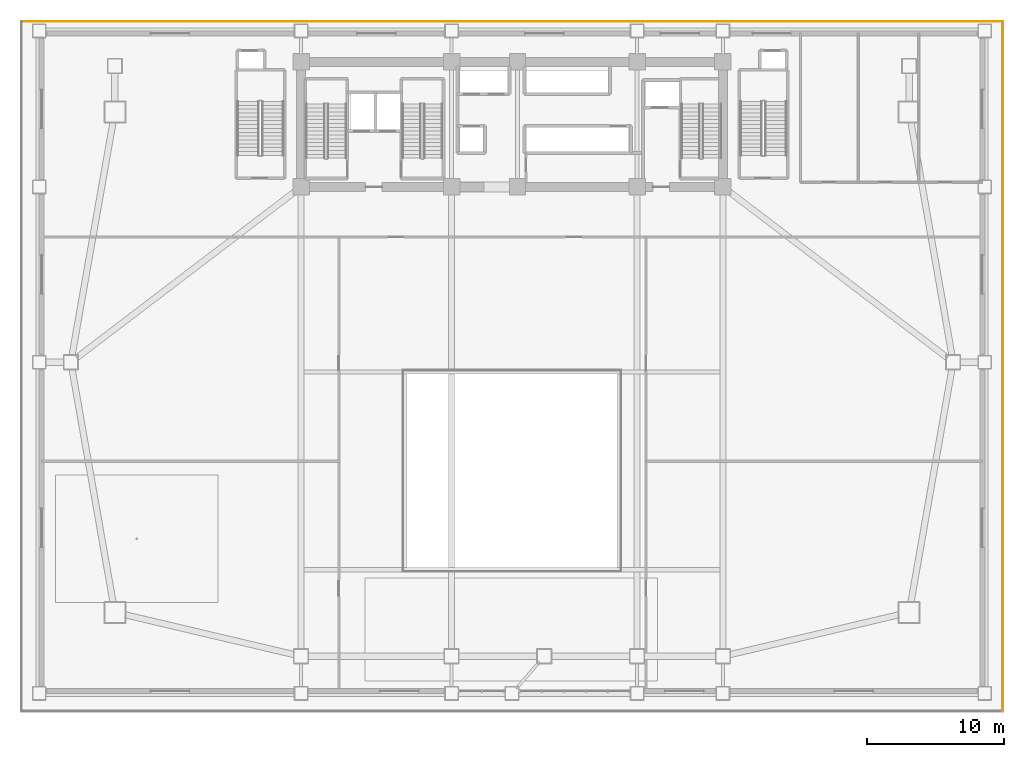
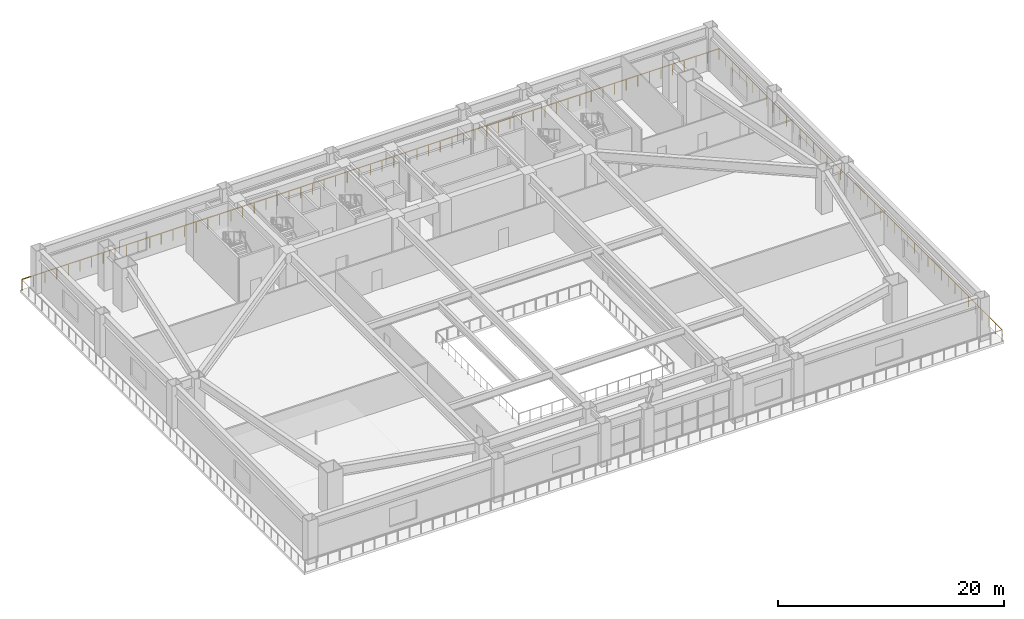
# One storey, part 14 of 14: 2 railings.
"""IFC4 building model written with IfcOpenShell, lengths in metres."""

from ifc_helpers import new_model, si_unit, direction, frame, origin, origin_2d, place, context, subcontext, project, spatial, rectangle, extrude, material, type_object, element, save


model = new_model("IFC4")

# Units and contexts
model_context = context("Model", 3, precision=1e-05, world=origin(), true_north=direction((0.0, 1.0)))
body_context = subcontext(model_context, "Body", "Model", "MODEL_VIEW")
ifc_project = project(units=[si_unit("LENGTHUNIT", "METRE"), si_unit("AREAUNIT", "SQUARE_METRE"), si_unit("VOLUMEUNIT", "CUBIC_METRE"), si_unit("PLANEANGLEUNIT", "RADIAN"), si_unit("MASSUNIT", "GRAM", prefix="KILO")], contexts=[model_context])

# Site, building, storey
site_placement = place(None, origin())
site = spatial("IfcSite", under=ifc_project, at=site_placement, CompositionType="ELEMENT")
building_placement = place(site_placement, origin())
building = spatial("IfcBuilding", under=site, at=building_placement, Name="Giltprow Tower", CompositionType="ELEMENT")
storey_placement = place(building_placement, frame((0.0, 0.0, 15.199951171875)))
storey = spatial("IfcBuildingStorey", under=building, at=storey_placement, Name="L04", CompositionType="ELEMENT", Elevation=15.199951171875)

# Railings
ifc_material = material(Name="Anodized bronze", Category="metal")
railing_type = type_object("IfcRailingType", Name="RAIL-BALC-GUARD-1200", PredefinedType="BALUSTRADE", material=ifc_material)
railing_1_placement = place(storey_placement, frame((70.8798828125, -0.679931640625, 0.0)))
element("IfcRailing", 1, at=railing_1_placement, inside=storey, type_object=railing_type, Name="L04 Podium Perimeter Cornice Balustrade Seg 2", PredefinedType="BALUSTRADE", context=body_context, shape_type="SweptSolid", body=[
    extrude(rectangle(XDim=0.048095703125, YDim=0.048095703125, at=origin_2d()), frame((0.0, 0.0, 1.17578125), z_axis=(0.0, 1.0, 0.0), x_axis=(-1.0, 0.0, 0.0)), (0.0, 0.0, 1.0), 50.159912109375),
    extrude(rectangle(XDim=0.0419921875, YDim=0.0419921875, at=origin_2d()), origin(), (0.0, 0.0, 1.0), 1.15185546875),
    extrude(rectangle(XDim=0.0419921875, YDim=0.0419921875, at=origin_2d()), frame((0.0, 1.1943359375, 0.0)), (0.0, 0.0, 1.0), 1.15185546875),
    extrude(rectangle(XDim=0.0419921875, YDim=0.0419921875, at=origin_2d()), frame((0.0, 2.388671875, 0.0)), (0.0, 0.0, 1.0), 1.15185546875),
    extrude(rectangle(XDim=0.0419921875, YDim=0.0419921875, at=origin_2d()), frame((0.0, 3.582763671875, 0.0)), (0.0, 0.0, 1.0), 1.15185546875),
    extrude(rectangle(XDim=0.0419921875, YDim=0.0419921875, at=origin_2d()), frame((0.0, 4.777099609375, 0.0)), (0.0, 0.0, 1.0), 1.15185546875),
    extrude(rectangle(XDim=0.0419921875, YDim=0.0419921875, at=origin_2d()), frame((0.0, 5.971435546875, 0.0)), (0.0, 0.0, 1.0), 1.15185546875),
    extrude(rectangle(XDim=0.0419921875, YDim=0.0419921875, at=origin_2d()), frame((0.0, 7.165771484375, 0.0)), (0.0, 0.0, 1.0), 1.15185546875),
    extrude(rectangle(XDim=0.0419921875, YDim=0.0419921875, at=origin_2d()), frame((0.0, 8.35986328125, 0.0)), (0.0, 0.0, 1.0), 1.15185546875),
    extrude(rectangle(XDim=0.0419921875, YDim=0.0419921875, at=origin_2d()), frame((0.0, 9.55419921875, 0.0)), (0.0, 0.0, 1.0), 1.15185546875),
    extrude(rectangle(XDim=0.0419921875, YDim=0.0419921875, at=origin_2d()), frame((0.0, 10.74853515625, 0.0)), (0.0, 0.0, 1.0), 1.15185546875),
    extrude(rectangle(XDim=0.0419921875, YDim=0.0419921875, at=origin_2d()), frame((0.0, 11.94287109375, 0.0)), (0.0, 0.0, 1.0), 1.15185546875),
    extrude(rectangle(XDim=0.0419921875, YDim=0.0419921875, at=origin_2d()), frame((0.0, 13.13720703125, 0.0)), (0.0, 0.0, 1.0), 1.15185546875),
    extrude(rectangle(XDim=0.0419921875, YDim=0.0419921875, at=origin_2d()), frame((0.0, 14.331298828125, 0.0)), (0.0, 0.0, 1.0), 1.15185546875),
    extrude(rectangle(XDim=0.0419921875, YDim=0.0419921875, at=origin_2d()), frame((0.0, 15.525634765625, 0.0)), (0.0, 0.0, 1.0), 1.15185546875),
    extrude(rectangle(XDim=0.0419921875, YDim=0.0419921875, at=origin_2d()), frame((0.0, 16.719970703125, 0.0)), (0.0, 0.0, 1.0), 1.15185546875),
    extrude(rectangle(XDim=0.0419921875, YDim=0.0419921875, at=origin_2d()), frame((0.0, 17.914306640625, 0.0)), (0.0, 0.0, 1.0), 1.15185546875),
    extrude(rectangle(XDim=0.0419921875, YDim=0.0419921875, at=origin_2d()), frame((0.0, 19.108642578125, 0.0)), (0.0, 0.0, 1.0), 1.15185546875),
    extrude(rectangle(XDim=0.0419921875, YDim=0.0419921875, at=origin_2d()), frame((0.0, 20.302734375, 0.0)), (0.0, 0.0, 1.0), 1.15185546875),
    extrude(rectangle(XDim=0.0419921875, YDim=0.0419921875, at=origin_2d()), frame((0.0, 21.4970703125, 0.0)), (0.0, 0.0, 1.0), 1.15185546875),
    extrude(rectangle(XDim=0.0419921875, YDim=0.0419921875, at=origin_2d()), frame((0.0, 22.69140625, 0.0)), (0.0, 0.0, 1.0), 1.15185546875),
    extrude(rectangle(XDim=0.0419921875, YDim=0.0419921875, at=origin_2d()), frame((0.0, 23.8857421875, 0.0)), (0.0, 0.0, 1.0), 1.15185546875),
    extrude(rectangle(XDim=0.0419921875, YDim=0.0419921875, at=origin_2d()), frame((0.0, 25.080078125, 0.0)), (0.0, 0.0, 1.0), 1.15185546875),
    extrude(rectangle(XDim=0.0419921875, YDim=0.0419921875, at=origin_2d()), frame((0.0, 26.274169921875, 0.0)), (0.0, 0.0, 1.0), 1.15185546875),
    extrude(rectangle(XDim=0.0419921875, YDim=0.0419921875, at=origin_2d()), frame((0.0, 27.468505859375, 0.0)), (0.0, 0.0, 1.0), 1.15185546875),
    extrude(rectangle(XDim=0.0419921875, YDim=0.0419921875, at=origin_2d()), frame((0.0, 28.662841796875, 0.0)), (0.0, 0.0, 1.0), 1.15185546875),
    extrude(rectangle(XDim=0.0419921875, YDim=0.0419921875, at=origin_2d()), frame((0.0, 29.857177734375, 0.0)), (0.0, 0.0, 1.0), 1.15185546875),
    extrude(rectangle(XDim=0.0419921875, YDim=0.0419921875, at=origin_2d()), frame((0.0, 31.05126953125, 0.0)), (0.0, 0.0, 1.0), 1.15185546875),
    extrude(rectangle(XDim=0.0419921875, YDim=0.0419921875, at=origin_2d()), frame((0.0, 32.24560546875, 0.0)), (0.0, 0.0, 1.0), 1.15185546875),
    extrude(rectangle(XDim=0.0419921875, YDim=0.0419921875, at=origin_2d()), frame((0.0, 33.43994140625, 0.0)), (0.0, 0.0, 1.0), 1.15185546875),
    extrude(rectangle(XDim=0.0419921875, YDim=0.0419921875, at=origin_2d()), frame((0.0, 34.63427734375, 0.0)), (0.0, 0.0, 1.0), 1.15185546875),
    extrude(rectangle(XDim=0.0419921875, YDim=0.0419921875, at=origin_2d()), frame((0.0, 35.82861328125, 0.0)), (0.0, 0.0, 1.0), 1.15185546875),
    extrude(rectangle(XDim=0.0419921875, YDim=0.0419921875, at=origin_2d()), frame((0.0, 37.022705078125, 0.0)), (0.0, 0.0, 1.0), 1.15185546875),
    extrude(rectangle(XDim=0.0419921875, YDim=0.0419921875, at=origin_2d()), frame((0.0, 38.217041015625, 0.0)), (0.0, 0.0, 1.0), 1.15185546875),
    extrude(rectangle(XDim=0.0419921875, YDim=0.0419921875, at=origin_2d()), frame((0.0, 39.411376953125, 0.0)), (0.0, 0.0, 1.0), 1.15185546875),
    extrude(rectangle(XDim=0.0419921875, YDim=0.0419921875, at=origin_2d()), frame((0.0, 40.605712890625, 0.0)), (0.0, 0.0, 1.0), 1.15185546875),
    extrude(rectangle(XDim=0.0419921875, YDim=0.0419921875, at=origin_2d()), frame((0.0, 41.7998046875, 0.0)), (0.0, 0.0, 1.0), 1.15185546875),
    extrude(rectangle(XDim=0.0419921875, YDim=0.0419921875, at=origin_2d()), frame((0.0, 42.994140625, 0.0)), (0.0, 0.0, 1.0), 1.15185546875),
    extrude(rectangle(XDim=0.0419921875, YDim=0.0419921875, at=origin_2d()), frame((0.0, 44.1884765625, 0.0)), (0.0, 0.0, 1.0), 1.15185546875),
    extrude(rectangle(XDim=0.0419921875, YDim=0.0419921875, at=origin_2d()), frame((0.0, 45.3828125, 0.0)), (0.0, 0.0, 1.0), 1.15185546875),
    extrude(rectangle(XDim=0.0419921875, YDim=0.0419921875, at=origin_2d()), frame((0.0, 46.5771484375, 0.0)), (0.0, 0.0, 1.0), 1.15185546875),
    extrude(rectangle(XDim=0.0419921875, YDim=0.0419921875, at=origin_2d()), frame((0.0, 47.771240234375, 0.0)), (0.0, 0.0, 1.0), 1.15185546875),
    extrude(rectangle(XDim=0.0419921875, YDim=0.0419921875, at=origin_2d()), frame((0.0, 48.965576171875, 0.0)), (0.0, 0.0, 1.0), 1.15185546875),
    extrude(rectangle(XDim=0.0419921875, YDim=0.0419921875, at=origin_2d()), frame((0.0, 50.159912109375, 0.0)), (0.0, 0.0, 1.0), 1.15185546875),
])
railing_2_placement = place(storey_placement, frame((70.8798828125, 49.47998046875, 0.0)))
element("IfcRailing", 2, at=railing_2_placement, inside=storey, type_object=railing_type, Name="L04 Podium Perimeter Cornice Balustrade Seg 3", PredefinedType="BALUSTRADE", context=body_context, shape_type="SweptSolid", body=[
    extrude(rectangle(XDim=0.048095703125, YDim=0.048095703125, at=origin_2d()), frame((0.0, 0.0, 1.17578125), z_axis=(-1.0, 0.0, 0.0), x_axis=(0.0, -1.0, 0.0)), (0.0, 0.0, 1.0), 71.35986328125),
    extrude(rectangle(XDim=0.0419921875, YDim=0.0419921875, at=origin_2d()), origin(), (0.0, 0.0, 1.0), 1.15185546875),
    extrude(rectangle(XDim=0.0419921875, YDim=0.0419921875, at=origin_2d()), frame((-1.189453125, 0.0, 0.0)), (0.0, 0.0, 1.0), 1.15185546875),
    extrude(rectangle(XDim=0.0419921875, YDim=0.0419921875, at=origin_2d()), frame((-2.378662109375, 0.0, 0.0)), (0.0, 0.0, 1.0), 1.15185546875),
    extrude(rectangle(XDim=0.0419921875, YDim=0.0419921875, at=origin_2d()), frame((-3.56787109375, 0.0, 0.0)), (0.0, 0.0, 1.0), 1.15185546875),
    extrude(rectangle(XDim=0.0419921875, YDim=0.0419921875, at=origin_2d()), frame((-4.75732421875, 0.0, 0.0)), (0.0, 0.0, 1.0), 1.15185546875),
    extrude(rectangle(XDim=0.0419921875, YDim=0.0419921875, at=origin_2d()), frame((-5.94677734375, 0.0, 0.0)), (0.0, 0.0, 1.0), 1.15185546875),
    extrude(rectangle(XDim=0.0419921875, YDim=0.0419921875, at=origin_2d()), frame((-7.135986328125, 0.0, 0.0)), (0.0, 0.0, 1.0), 1.15185546875),
    extrude(rectangle(XDim=0.0419921875, YDim=0.0419921875, at=origin_2d()), frame((-8.3251953125, 0.0, 0.0)), (0.0, 0.0, 1.0), 1.15185546875),
    extrude(rectangle(XDim=0.0419921875, YDim=0.0419921875, at=origin_2d()), frame((-9.5146484375, 0.0, 0.0)), (0.0, 0.0, 1.0), 1.15185546875),
    extrude(rectangle(XDim=0.0419921875, YDim=0.0419921875, at=origin_2d()), frame((-10.7041015625, 0.0, 0.0)), (0.0, 0.0, 1.0), 1.15185546875),
    extrude(rectangle(XDim=0.0419921875, YDim=0.0419921875, at=origin_2d()), frame((-11.893310546875, 0.0, 0.0)), (0.0, 0.0, 1.0), 1.15185546875),
    extrude(rectangle(XDim=0.0419921875, YDim=0.0419921875, at=origin_2d()), frame((-13.08251953125, 0.0, 0.0)), (0.0, 0.0, 1.0), 1.15185546875),
    extrude(rectangle(XDim=0.0419921875, YDim=0.0419921875, at=origin_2d()), frame((-14.27197265625, 0.0, 0.0)), (0.0, 0.0, 1.0), 1.15185546875),
    extrude(rectangle(XDim=0.0419921875, YDim=0.0419921875, at=origin_2d()), frame((-15.46142578125, 0.0, 0.0)), (0.0, 0.0, 1.0), 1.15185546875),
    extrude(rectangle(XDim=0.0419921875, YDim=0.0419921875, at=origin_2d()), frame((-16.650634765625, 0.0, 0.0)), (0.0, 0.0, 1.0), 1.15185546875),
    extrude(rectangle(XDim=0.0419921875, YDim=0.0419921875, at=origin_2d()), frame((-17.83984375, 0.0, 0.0)), (0.0, 0.0, 1.0), 1.15185546875),
    extrude(rectangle(XDim=0.0419921875, YDim=0.0419921875, at=origin_2d()), frame((-19.029296875, 0.0, 0.0)), (0.0, 0.0, 1.0), 1.15185546875),
    extrude(rectangle(XDim=0.0419921875, YDim=0.0419921875, at=origin_2d()), frame((-20.21875, 0.0, 0.0)), (0.0, 0.0, 1.0), 1.15185546875),
    extrude(rectangle(XDim=0.0419921875, YDim=0.0419921875, at=origin_2d()), frame((-21.407958984375, 0.0, 0.0)), (0.0, 0.0, 1.0), 1.15185546875),
    extrude(rectangle(XDim=0.0419921875, YDim=0.0419921875, at=origin_2d()), frame((-22.59716796875, 0.0, 0.0)), (0.0, 0.0, 1.0), 1.15185546875),
    extrude(rectangle(XDim=0.0419921875, YDim=0.0419921875, at=origin_2d()), frame((-23.78662109375, 0.0, 0.0)), (0.0, 0.0, 1.0), 1.15185546875),
    extrude(rectangle(XDim=0.0419921875, YDim=0.0419921875, at=origin_2d()), frame((-24.97607421875, 0.0, 0.0)), (0.0, 0.0, 1.0), 1.15185546875),
    extrude(rectangle(XDim=0.0419921875, YDim=0.0419921875, at=origin_2d()), frame((-26.165283203125, 0.0, 0.0)), (0.0, 0.0, 1.0), 1.15185546875),
    extrude(rectangle(XDim=0.0419921875, YDim=0.0419921875, at=origin_2d()), frame((-27.354736328125, 0.0, 0.0)), (0.0, 0.0, 1.0), 1.15185546875),
    extrude(rectangle(XDim=0.0419921875, YDim=0.0419921875, at=origin_2d()), frame((-28.5439453125, 0.0, 0.0)), (0.0, 0.0, 1.0), 1.15185546875),
    extrude(rectangle(XDim=0.0419921875, YDim=0.0419921875, at=origin_2d()), frame((-29.7333984375, 0.0, 0.0)), (0.0, 0.0, 1.0), 1.15185546875),
    extrude(rectangle(XDim=0.0419921875, YDim=0.0419921875, at=origin_2d()), frame((-30.922607421875, 0.0, 0.0)), (0.0, 0.0, 1.0), 1.15185546875),
    extrude(rectangle(XDim=0.0419921875, YDim=0.0419921875, at=origin_2d()), frame((-32.11181640625, 0.0, 0.0)), (0.0, 0.0, 1.0), 1.15185546875),
    extrude(rectangle(XDim=0.0419921875, YDim=0.0419921875, at=origin_2d()), frame((-33.30126953125, 0.0, 0.0)), (0.0, 0.0, 1.0), 1.15185546875),
    extrude(rectangle(XDim=0.0419921875, YDim=0.0419921875, at=origin_2d()), frame((-34.49072265625, 0.0, 0.0)), (0.0, 0.0, 1.0), 1.15185546875),
    extrude(rectangle(XDim=0.0419921875, YDim=0.0419921875, at=origin_2d()), frame((-35.679931640625, 0.0, 0.0)), (0.0, 0.0, 1.0), 1.15185546875),
    extrude(rectangle(XDim=0.0419921875, YDim=0.0419921875, at=origin_2d()), frame((-36.869384765625, 0.0, 0.0)), (0.0, 0.0, 1.0), 1.15185546875),
    extrude(rectangle(XDim=0.0419921875, YDim=0.0419921875, at=origin_2d()), frame((-38.05859375, 0.0, 0.0)), (0.0, 0.0, 1.0), 1.15185546875),
    extrude(rectangle(XDim=0.0419921875, YDim=0.0419921875, at=origin_2d()), frame((-39.248046875, 0.0, 0.0)), (0.0, 0.0, 1.0), 1.15185546875),
    extrude(rectangle(XDim=0.0419921875, YDim=0.0419921875, at=origin_2d()), frame((-40.437255859375, 0.0, 0.0)), (0.0, 0.0, 1.0), 1.15185546875),
    extrude(rectangle(XDim=0.0419921875, YDim=0.0419921875, at=origin_2d()), frame((-41.62646484375, 0.0, 0.0)), (0.0, 0.0, 1.0), 1.15185546875),
    extrude(rectangle(XDim=0.0419921875, YDim=0.0419921875, at=origin_2d()), frame((-42.81591796875, 0.0, 0.0)), (0.0, 0.0, 1.0), 1.15185546875),
    extrude(rectangle(XDim=0.0419921875, YDim=0.0419921875, at=origin_2d()), frame((-44.00537109375, 0.0, 0.0)), (0.0, 0.0, 1.0), 1.15185546875),
    extrude(rectangle(XDim=0.0419921875, YDim=0.0419921875, at=origin_2d()), frame((-45.194580078125, 0.0, 0.0)), (0.0, 0.0, 1.0), 1.15185546875),
    extrude(rectangle(XDim=0.0419921875, YDim=0.0419921875, at=origin_2d()), frame((-46.3837890625, 0.0, 0.0)), (0.0, 0.0, 1.0), 1.15185546875),
    extrude(rectangle(XDim=0.0419921875, YDim=0.0419921875, at=origin_2d()), frame((-47.5732421875, 0.0, 0.0)), (0.0, 0.0, 1.0), 1.15185546875),
    extrude(rectangle(XDim=0.0419921875, YDim=0.0419921875, at=origin_2d()), frame((-48.7626953125, 0.0, 0.0)), (0.0, 0.0, 1.0), 1.15185546875),
    extrude(rectangle(XDim=0.0419921875, YDim=0.0419921875, at=origin_2d()), frame((-49.951904296875, 0.0, 0.0)), (0.0, 0.0, 1.0), 1.15185546875),
    extrude(rectangle(XDim=0.0419921875, YDim=0.0419921875, at=origin_2d()), frame((-51.14111328125, 0.0, 0.0)), (0.0, 0.0, 1.0), 1.15185546875),
    extrude(rectangle(XDim=0.0419921875, YDim=0.0419921875, at=origin_2d()), frame((-52.33056640625, 0.0, 0.0)), (0.0, 0.0, 1.0), 1.15185546875),
    extrude(rectangle(XDim=0.0419921875, YDim=0.0419921875, at=origin_2d()), frame((-53.52001953125, 0.0, 0.0)), (0.0, 0.0, 1.0), 1.15185546875),
    extrude(rectangle(XDim=0.0419921875, YDim=0.0419921875, at=origin_2d()), frame((-54.709228515625, 0.0, 0.0)), (0.0, 0.0, 1.0), 1.15185546875),
    extrude(rectangle(XDim=0.0419921875, YDim=0.0419921875, at=origin_2d()), frame((-55.8984375, 0.0, 0.0)), (0.0, 0.0, 1.0), 1.15185546875),
    extrude(rectangle(XDim=0.0419921875, YDim=0.0419921875, at=origin_2d()), frame((-57.087890625, 0.0, 0.0)), (0.0, 0.0, 1.0), 1.15185546875),
    extrude(rectangle(XDim=0.0419921875, YDim=0.0419921875, at=origin_2d()), frame((-58.27734375, 0.0, 0.0)), (0.0, 0.0, 1.0), 1.15185546875),
    extrude(rectangle(XDim=0.0419921875, YDim=0.0419921875, at=origin_2d()), frame((-59.466552734375, 0.0, 0.0)), (0.0, 0.0, 1.0), 1.15185546875),
    extrude(rectangle(XDim=0.0419921875, YDim=0.0419921875, at=origin_2d()), frame((-60.65576171875, 0.0, 0.0)), (0.0, 0.0, 1.0), 1.15185546875),
    extrude(rectangle(XDim=0.0419921875, YDim=0.0419921875, at=origin_2d()), frame((-61.84521484375, 0.0, 0.0)), (0.0, 0.0, 1.0), 1.15185546875),
    extrude(rectangle(XDim=0.0419921875, YDim=0.0419921875, at=origin_2d()), frame((-63.03466796875, 0.0, 0.0)), (0.0, 0.0, 1.0), 1.15185546875),
    extrude(rectangle(XDim=0.0419921875, YDim=0.0419921875, at=origin_2d()), frame((-64.223876953125, 0.0, 0.0)), (0.0, 0.0, 1.0), 1.15185546875),
    extrude(rectangle(XDim=0.0419921875, YDim=0.0419921875, at=origin_2d()), frame((-65.4130859375, 0.0, 0.0)), (0.0, 0.0, 1.0), 1.15185546875),
    extrude(rectangle(XDim=0.0419921875, YDim=0.0419921875, at=origin_2d()), frame((-66.6025390625, 0.0, 0.0)), (0.0, 0.0, 1.0), 1.15185546875),
    extrude(rectangle(XDim=0.0419921875, YDim=0.0419921875, at=origin_2d()), frame((-67.7919921875, 0.0, 0.0)), (0.0, 0.0, 1.0), 1.15185546875),
    extrude(rectangle(XDim=0.0419921875, YDim=0.0419921875, at=origin_2d()), frame((-68.981201171875, 0.0, 0.0)), (0.0, 0.0, 1.0), 1.15185546875),
    extrude(rectangle(XDim=0.0419921875, YDim=0.0419921875, at=origin_2d()), frame((-70.17041015625, 0.0, 0.0)), (0.0, 0.0, 1.0), 1.15185546875),
    extrude(rectangle(XDim=0.0419921875, YDim=0.0419921875, at=origin_2d()), frame((-71.35986328125, 0.0, 0.0)), (0.0, 0.0, 1.0), 1.15185546875),
])

save(model, "model.ifc")
